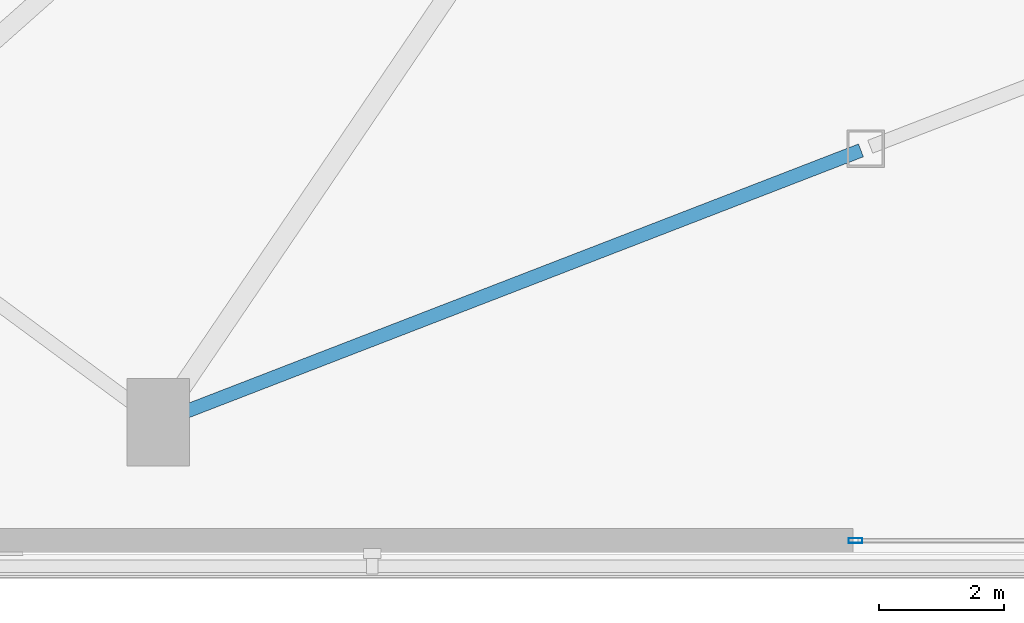
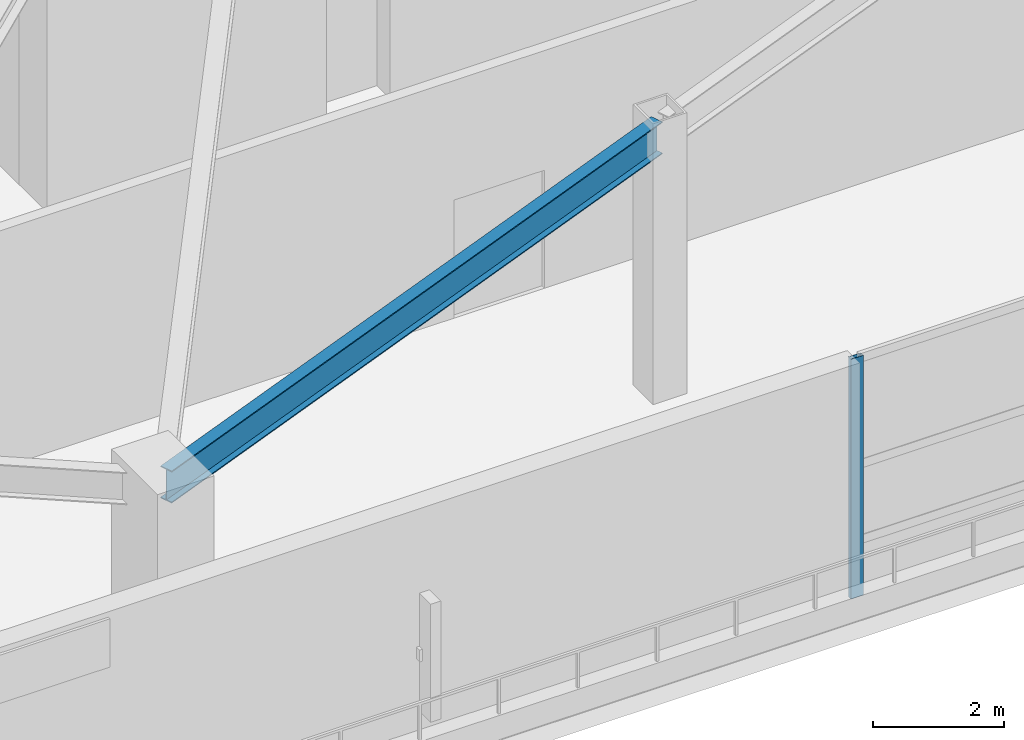
# One storey, part 2 of 15: 1 beam, 1 member, 1 element without a shape of its own.
"""IFC4 building model written with IfcOpenShell, lengths in metres."""

from ifc_helpers import new_model, si_unit, direction, frame, origin, origin_2d, place, context, subcontext, project, spatial, hollow_rectangle, i_section, extrude, source, transform, mapped, material, material_profile, profile_set, type_object, element, aggregate, save


model = new_model("IFC4")

# Units and contexts
model_context = context("Model", 3, precision=1e-05, world=origin(), true_north=direction((0.0, 1.0)))
body_context = subcontext(model_context, "Body", "Model", "MODEL_VIEW")
ifc_project = project(units=[si_unit("LENGTHUNIT", "METRE"), si_unit("AREAUNIT", "SQUARE_METRE"), si_unit("VOLUMEUNIT", "CUBIC_METRE"), si_unit("PLANEANGLEUNIT", "RADIAN"), si_unit("MASSUNIT", "GRAM", prefix="KILO")], contexts=[model_context])

# Site, building, storey
site_placement = place(None, origin())
site = spatial("IfcSite", under=ifc_project, at=site_placement, CompositionType="ELEMENT")
building_placement = place(site_placement, origin())
building = spatial("IfcBuilding", under=site, at=building_placement, Name="Olszyna Solenne Hotel", CompositionType="ELEMENT")
storey_placement = place(building_placement, frame((0.0, 0.0, 10.199951171875)))
storey = spatial("IfcBuildingStorey", under=building, at=storey_placement, Name="L02", CompositionType="ELEMENT", Elevation=10.199951171875)

# Beam
ifc_material_1 = material(Name="Steel S355J2", Category="steel")
ifc_material_profile_1 = material_profile(ifc_material_1, i_section(OverallWidth=0.219970703125, OverallDepth=0.60009765625, WebThickness=0.011962890625, FlangeThickness=0.01904296875, at=origin_2d()), Name="IPE 600", Category="load-bearing")
ifc_profile_set_1 = profile_set([ifc_material_profile_1], Name="Steel S355J2")
beam_type = type_object("IfcBeamType", Name="BM-F1", PredefinedType="BEAM", material=ifc_profile_set_1)
shared_shape_1 = source(origin(), body_context, "Body", "SweptSolid", [
    extrude(i_section(OverallWidth=0.219970703125, OverallDepth=0.60009765625, WebThickness=0.011962890625, FlangeThickness=0.01904296875, at=origin_2d()), origin(), (0.0, 0.0, 1.0), 11.941162109375),
])
beam_placement = place(storey_placement, frame((23.788818359375, 5.549072265625, 4.780029296875), z_axis=(0.932645120915, 0.360795064314, 0.0), x_axis=(-0.360795064314, 0.932645120915, 0.0)))
element("IfcBeam", 1, at=beam_placement, inside=storey, type_object=beam_type, Name="Podium ring girder BM-F1 B-L02-0099", PredefinedType="BEAM", context=body_context, shape_type="MappedRepresentation", body=[
    mapped(shared_shape_1, transform((0.0, 0.0, 0.0), x_axis=(1.0, 0.0, 0.0), y_axis=(0.0, 1.0, 0.0), z_axis=(0.0, 0.0, 1.0), scale=1.0)),
])

# Curtain wall, member
ifc_material_2 = material(Name="Anodised bronze aluminium", Category="aluminium")
curtain_wall_type = type_object("IfcCurtainWallType", Name="CW-SYS-1", PredefinedType="NOTDEFINED", material=ifc_material_2)
curtain_wall_placement = place(storey_placement, origin())
curtain_wall = element("IfcCurtainWall", 2, at=curtain_wall_placement, inside=storey, type_object=curtain_wall_type, Name="Unitised curtain wall CW-SYS-1 CW-L02-01", PredefinedType="NOTDEFINED")
ifc_material_profile_2 = material_profile(ifc_material_2, hollow_rectangle(XDim=0.080078125, YDim=0.219970703125, WallThickness=0.0048828125, at=origin_2d()), Name="MULL 220x80x5", Category="load-bearing")
ifc_profile_set_2 = profile_set([ifc_material_profile_2], Name="Anodised bronze aluminium")
member_type = type_object("IfcMemberType", Name="CW-M1", PredefinedType="MULLION", material=ifc_profile_set_2)
shared_shape_2 = source(origin(), body_context, "Body", "SweptSolid", [
    extrude(hollow_rectangle(XDim=0.080078125, YDim=0.219970703125, WallThickness=0.0048828125, at=origin_2d()), origin(), (0.0, 0.0, 1.0), 4.47216796875),
])
member_placement = place(storey_placement, frame((34.840087890625, 3.6298828125, 0.0), z_axis=(0.0, 0.0, 1.0), x_axis=(0.0, 1.0, 0.0)))
member = element("IfcMember", 3, at=member_placement, type_object=member_type, Name="Curtain-wall mullion CW-M1 CM-L02-01-01", PredefinedType="MULLION", context=body_context, shape_type="MappedRepresentation", body=[
    mapped(shared_shape_2, transform((0.0, 0.0, 0.0), x_axis=(1.0, 0.0, 0.0), y_axis=(0.0, 1.0, 0.0), z_axis=(0.0, 0.0, 1.0), scale=1.0)),
])
aggregate(curtain_wall, [member])

save(model, "model.ifc")
